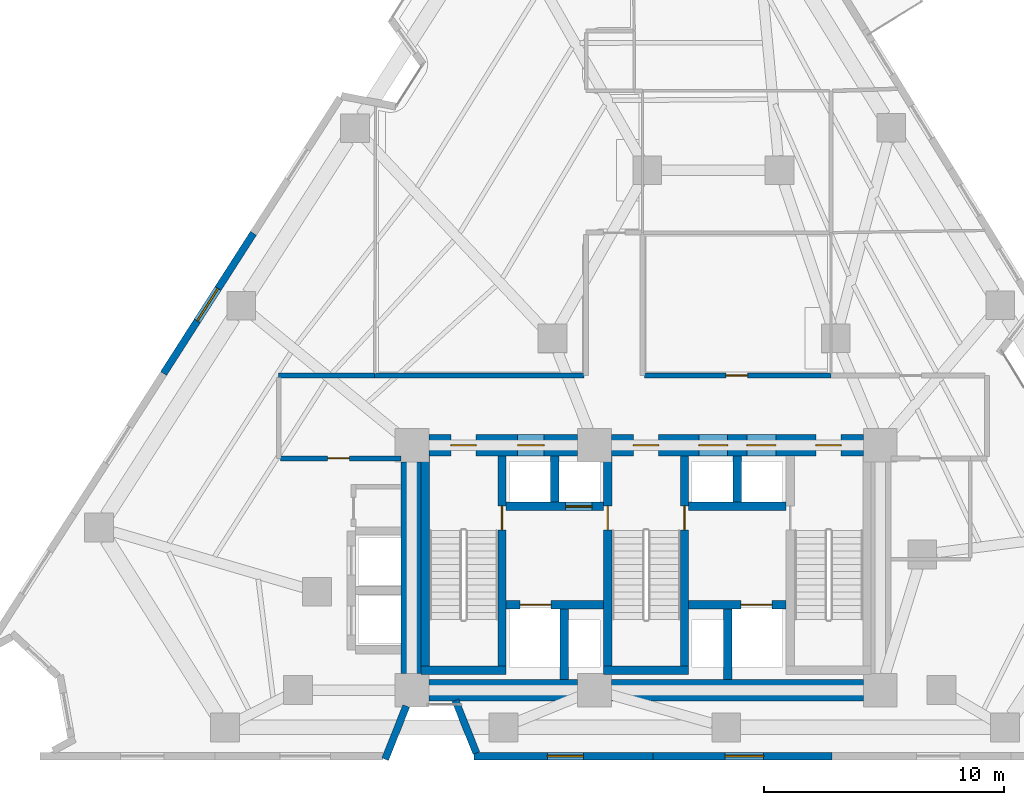
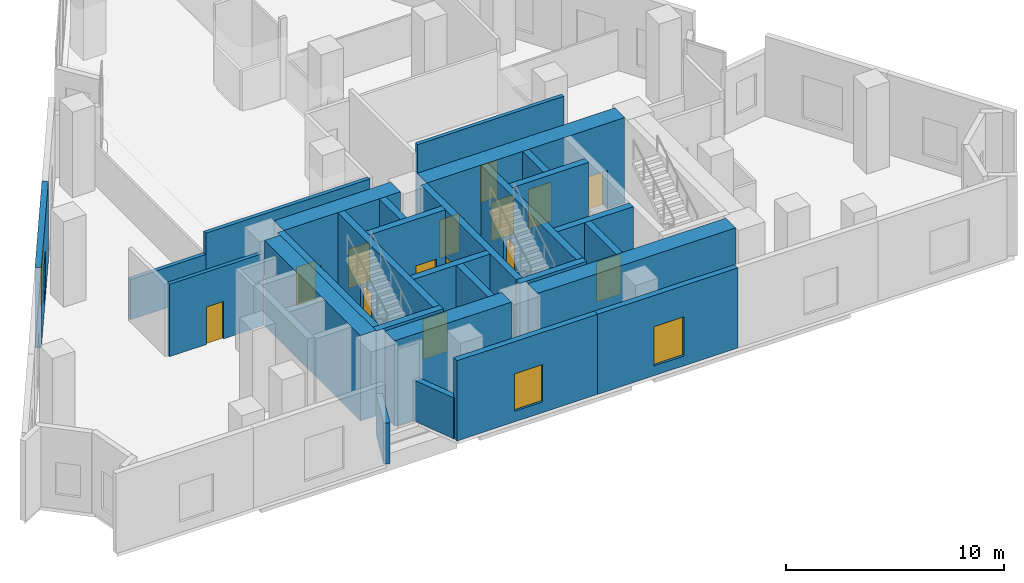
# One storey, part 7 of 13: 28 walls, 14 doors, 3 windows, 17 openings.
"""IFC4 building model written with IfcOpenShell, lengths in metres."""

import ifcopenshell
import ifcopenshell.guid

model = None  # the IFC model being written
_history = None  # IfcOwnerHistory: only IFC2X3 demands one
_inside = {}  # id of a spatial element -> (the spatial element, [elements in it])
_under = {}  # id of a project, library or spatial element -> (it, [spatial elements below it])
_declared = {}  # id of a project -> (the project, [libraries it declares])
_typed = {}  # id of a type object -> (the type object, [elements of that type])
_made_of = {}  # id of a material, layer set ... -> (it, [elements and type objects made of it])


def new_model(schema):
    """Start an empty IFC model of exactly this schema.

    Asked for "IFC4X3", IfcOpenShell would pick the latest addendum, in which some entities
    have other attributes; the version numbers below select the first issue.
    IFC2X3 requires an IfcOwnerHistory on every rooted entity: one is made here for all.
    """
    global model, _history
    if schema == "IFC4X3":
        model = ifcopenshell.file(schema_version=(4, 3, 0, 0))
    else:
        model = ifcopenshell.file(schema=schema)
    _inside.clear()
    _under.clear()
    _declared.clear()
    _typed.clear()
    _made_of.clear()
    _history = None
    if model.schema == "IFC2X3":
        org = make("IfcOrganization", Name="unknown")
        user = make(
            "IfcPersonAndOrganization",
            ThePerson=make("IfcPerson", FamilyName="unknown"),
            TheOrganization=org,
        )
        app = make(
            "IfcApplication",
            ApplicationDeveloper=org,
            Version="unknown",
            ApplicationFullName="unknown",
            ApplicationIdentifier="unknown",
        )
        _history = make(
            "IfcOwnerHistory",
            OwningUser=user,
            OwningApplication=app,
            ChangeAction="ADDED",
            CreationDate=0,
        )
    return model


def make(cls, **values):
    """One entity of the class cls with the attributes given. An attribute that is None is left unset."""
    return model.create_entity(
        cls, **{name: value for name, value in values.items() if value is not None}
    )


def rooted(cls, **values):
    """An entity with a GlobalId (a new one), such as an element, a storey or a relation."""
    return make(cls, GlobalId=ifcopenshell.guid.new(), OwnerHistory=_history, **values)


def si_unit(unit_type, name, prefix=None):
    """IfcSIUnit, for example si_unit("LENGTHUNIT", "METRE", prefix="MILLI")."""
    return make("IfcSIUnit", UnitType=unit_type, Prefix=prefix, Name=name)


def assignment(units):
    """IfcUnitAssignment: the units of a project."""
    return None if units is None else make("IfcUnitAssignment", Units=units)


def point(xyz):
    """IfcCartesianPoint."""
    return None if xyz is None else make("IfcCartesianPoint", Coordinates=xyz)


def direction(xyz):
    """IfcDirection."""
    return None if xyz is None else make("IfcDirection", DirectionRatios=xyz)


def frame(location, z_axis=None, x_axis=None):
    """IfcAxis2Placement3D, a coordinate frame: its origin and axes. An axis left out is left unset."""
    return make(
        "IfcAxis2Placement3D",
        Location=point(location),
        Axis=direction(z_axis),
        RefDirection=direction(x_axis),
    )


def frame_2d(location, x_axis=None):
    """IfcAxis2Placement2D, a coordinate frame in the plane: its origin and x axis."""
    return make(
        "IfcAxis2Placement2D", Location=point(location), RefDirection=direction(x_axis)
    )


def origin():
    """The frame at (0, 0, 0) with its axes left unset."""
    return frame((0.0, 0.0, 0.0))


def place(relative_to, where):
    """IfcLocalPlacement: puts the frame where relative to a parent placement (None: the world)."""
    return make(
        "IfcLocalPlacement", PlacementRelTo=relative_to, RelativePlacement=where
    )


def context(
    kind, dimensions, precision=None, world=None, true_north=None, identifier=None
):
    """IfcGeometricRepresentationContext, for example the 3D "Model" context."""
    return make(
        "IfcGeometricRepresentationContext",
        ContextIdentifier=identifier,
        ContextType=kind,
        CoordinateSpaceDimension=dimensions,
        Precision=precision,
        WorldCoordinateSystem=world,
        TrueNorth=true_north,
    )


def subcontext(parent, identifier, kind, view, scale=None):
    """IfcGeometricRepresentationSubContext, for example "Body" below "Model"."""
    return make(
        "IfcGeometricRepresentationSubContext",
        ContextIdentifier=identifier,
        ContextType=kind,
        ParentContext=parent,
        TargetScale=scale,
        TargetView=view,
    )


def project(units=None, contexts=None):
    """IfcProject with its units and contexts."""
    return rooted(
        "IfcProject",
        Name="project",
        RepresentationContexts=contexts,
        UnitsInContext=assignment(units),
    )


def spatial(cls, under=None, at=None, **own):
    """A site, building, storey or space (cls), placed at a placement, below another one or the project."""
    s = rooted(cls, ObjectPlacement=at, **own)
    if under is not None:
        _under.setdefault(under.id(), (under, []))[1].append(s)
    return s


def profile(cls, at=None, kind="AREA", **sizes):
    """A parametric profile (cls). Its sizes go by their IFC names, for example OverallWidth=200.0."""
    return make(cls, ProfileType=kind, Position=at, **sizes)


def rectangle(**sizes):
    """IfcRectangleProfileDef."""
    return profile("IfcRectangleProfileDef", **sizes)


def extrude(swept, where, along, depth):
    """IfcExtrudedAreaSolid: the profile swept, set in the frame where, extruded along a direction by depth."""
    return make(
        "IfcExtrudedAreaSolid",
        SweptArea=swept,
        Position=where,
        ExtrudedDirection=direction(along),
        Depth=depth,
    )


def shape(context_of_items, identifier, shape_type, items):
    """IfcShapeRepresentation: the items that make up one representation, for example the "Body"."""
    return make(
        "IfcShapeRepresentation",
        ContextOfItems=context_of_items,
        RepresentationIdentifier=identifier,
        RepresentationType=shape_type,
        Items=items,
    )


def material(Name=None, Category=None):
    """IfcMaterial."""
    return make("IfcMaterial", Name=Name, Category=Category)


def layer(
    of_material, thickness, ventilated=None, Name=None, Category=None, Priority=None
):
    """IfcMaterialLayer: one layer of a wall or slab, of a material (None: an air gap)."""
    return make(
        "IfcMaterialLayer",
        Material=of_material,
        LayerThickness=thickness,
        IsVentilated=ventilated,
        Name=Name,
        Category=Category,
        Priority=Priority,
    )


def layer_set(layers, Name=None):
    """IfcMaterialLayerSet."""
    return make("IfcMaterialLayerSet", MaterialLayers=layers, LayerSetName=Name)


def made_of(thing, what):
    """Note that an element or type object is made of a material, layer set ...; save() writes the relation."""
    if what is not None:
        _made_of.setdefault(what.id(), (what, []))[1].append(thing)
    return thing


def type_object(cls, material=None, **own):
    """A type object (cls), such as IfcWallType, which elements share."""
    return made_of(rooted(cls, **own), material)


def element(
    cls,
    number,
    at=None,
    inside=None,
    cuts=None,
    type_object=None,
    material=None,
    context=None,
    identifier="Body",
    shape_type=None,
    held_by="IfcProductDefinitionShape",
    body=None,
    shapes=None,
    **own,
):
    """One element of the class cls, such as IfcWall. Its Tag is "e" and its number.

    at: its placement. inside: the storey or other place that contains it. cuts: it is an
    opening in that element (IfcRelVoidsElement). A single representation is given by context,
    identifier, shape_type and body (its items); several are given by shapes. held_by: the class
    of the entity that holds the representations. save() writes the other relations.
    """
    e = rooted(cls, Tag="e%d" % number, ObjectPlacement=at, **own)
    if body is not None:
        shapes = [shape(context, identifier, shape_type, body)]
    if shapes is not None:
        e.Representation = make(held_by, Representations=shapes)
    if inside is not None:
        _inside.setdefault(inside.id(), (inside, []))[1].append(e)
    if cuts is not None:
        rooted(
            "IfcRelVoidsElement", RelatingBuildingElement=cuts, RelatedOpeningElement=e
        )
    if type_object is not None:
        _typed.setdefault(type_object.id(), (type_object, []))[1].append(e)
    return made_of(e, material)


def fill(opening, filler):
    """IfcRelFillsElement: the door or window that sits in an opening."""
    return rooted(
        "IfcRelFillsElement",
        RelatingOpeningElement=opening,
        RelatedBuildingElement=filler,
    )


def aggregate(whole, parts):
    """IfcRelAggregates: a whole, such as a stair, and the parts it consists of."""
    return rooted("IfcRelAggregates", RelatingObject=whole, RelatedObjects=parts)


def save(model, path):
    """Write the relations noted so far, then the file.

    IfcRelAggregates (storeys below a building ...), IfcRelContainedInSpatialStructure (elements
    in a storey), IfcRelDefinesByType, IfcRelAssociatesMaterial and IfcRelDeclares: one each for
    every whole, place, type object, material and project.
    """
    for whole, parts in _under.values():
        aggregate(whole, parts)
    for where, things in _inside.values():
        rooted(
            "IfcRelContainedInSpatialStructure",
            RelatedElements=things,
            RelatingStructure=where,
        )
    for kind, things in _typed.values():
        rooted("IfcRelDefinesByType", RelatedObjects=things, RelatingType=kind)
    for what, things in _made_of.values():
        rooted("IfcRelAssociatesMaterial", RelatedObjects=things, RelatingMaterial=what)
    for by, libraries in _declared.values():
        rooted("IfcRelDeclares", RelatingContext=by, RelatedDefinitions=libraries)
    model.write(path)


model = new_model("IFC4")

# Units and contexts
model_context = context("Model", 3, precision=1e-05, world=origin(), true_north=direction((0.0, 1.0)))
body_context = subcontext(model_context, "Body", "Model", "MODEL_VIEW")
ifc_project = project(units=[si_unit("LENGTHUNIT", "METRE"), si_unit("AREAUNIT", "SQUARE_METRE"), si_unit("VOLUMEUNIT", "CUBIC_METRE"), si_unit("PLANEANGLEUNIT", "RADIAN"), si_unit("MASSUNIT", "GRAM", prefix="KILO")], contexts=[model_context])

# Site, building, storey
site_placement = place(None, origin())
site = spatial("IfcSite", under=ifc_project, at=site_placement, CompositionType="ELEMENT")
building_placement = place(site_placement, origin())
building = spatial("IfcBuilding", under=site, at=building_placement, Name="Almagre Mirador Tower", CompositionType="ELEMENT")
storey_placement = place(building_placement, frame((0.0, 0.0, 100.199951171875)))
storey = spatial("IfcBuildingStorey", under=building, at=storey_placement, Name="L25", CompositionType="ELEMENT", Elevation=100.199951171875)

# Wall, opening, window
ifc_material_1 = material(Name="Precast concrete C50/60", Category="concrete")
ifc_layer_1 = layer(ifc_material_1, 0.300048828125)
ifc_layer_set_1 = layer_set([ifc_layer_1], Name="Precast concrete C50/60")
wall_type_1 = type_object("IfcWallType", Name="WAL-EXT-300", PredefinedType="SOLIDWALL", material=ifc_layer_set_1)
wall_1_placement = place(storey_placement, frame((45.0419921875, 1.800048828125, 0.0), z_axis=(0.0, 0.0, 1.0), x_axis=(-1.0, 0.0, 0.0)))
wall_1 = element("IfcWall", 1, at=wall_1_placement, inside=storey, type_object=wall_type_1, Name="L25 expressed almagre precast frame wall 20", PredefinedType="SOLIDWALL", context=body_context, shape_type="SweptSolid", body=[
    extrude(rectangle(XDim=7.448974609375, YDim=0.300048828125, at=frame_2d((3.724609375, 0.0))), origin(), (0.0, 0.0, 1.0), 4.5),
])
opening_1_placement = place(wall_1_placement, frame((2.85009765625, 0.0, 0.550048828125)))
opening_1 = element("IfcOpeningElement", 2, at=opening_1_placement, cuts=wall_1, Name="Opening WN-06", PredefinedType="OPENING", context=body_context, shape_type="SweptSolid", body=[
    extrude(rectangle(XDim=1.60009765625, YDim=2.199951171875, at=frame_2d((0.800048828125, 1.10009765625))), frame((0.0, 0.159902, 0.0), z_axis=(0.0, -1.0, 0.0), x_axis=(1.0, 0.0, 0.0)), (0.0, 0.0, 1.0), 0.320049),
])
ifc_material_2 = material(Name="Dark solar-control laminated hurricane glass", Category="glass")
window_type_1 = type_object("IfcWindowType", Name="WIN-1600X2200", PartitioningType="DOUBLE_PANEL_VERTICAL", PredefinedType="WINDOW", material=ifc_material_2)
window_1_placement = place(opening_1_placement, origin())
window_1 = element("IfcWindow", 3, at=window_1_placement, inside=storey, type_object=window_type_1, Name="L25 recessed hurricane window L25-SCAF", OverallHeight=2.199951171875, OverallWidth=1.60009765625, PartitioningType="SINGLE_PANEL", PredefinedType="WINDOW", context=body_context, shape_type="SweptSolid", body=[
    extrude(rectangle(XDim=1.60009765625, YDim=2.199951171875, at=frame_2d((0.800048828125, 1.10009765625))), frame((0.0, 0.030029296875, 0.0), z_axis=(0.0, -1.0, 0.0), x_axis=(1.0, 0.0, 0.0)), (0.0, 0.0, 1.0), 0.06005859375),
])
fill(opening_1, window_1)

wall_2_placement = place(storey_placement, frame((37.593017578125, 1.800048828125, 0.0), z_axis=(0.0, 0.0, 1.0), x_axis=(-1.0, 0.0, 0.0)))
wall_2 = element("IfcWall", 4, at=wall_2_placement, inside=storey, type_object=wall_type_1, Name="L25 expressed almagre precast frame wall 21", PredefinedType="SOLIDWALL", context=body_context, shape_type="SweptSolid", body=[
    extrude(rectangle(XDim=7.448974609375, YDim=0.300048828125, at=frame_2d((3.724609375, 0.0))), origin(), (0.0, 0.0, 1.0), 4.5),
])
opening_2_placement = place(wall_2_placement, frame((2.89990234375, 0.0, 0.60009765625)))
opening_2 = element("IfcOpeningElement", 5, at=opening_2_placement, cuts=wall_2, Name="Opening WN-03", PredefinedType="OPENING", context=body_context, shape_type="SweptSolid", body=[
    extrude(rectangle(XDim=1.5, YDim=2.10009765625, at=frame_2d((0.75, 1.050048828125))), frame((0.0, 0.159902, 0.0), z_axis=(0.0, -1.0, 0.0), x_axis=(1.0, 0.0, 0.0)), (0.0, 0.0, 1.0), 0.320049),
])
ifc_material_3 = material(Name="Dark solar-control laminated hurricane glass", Category="glass")
window_type_2 = type_object("IfcWindowType", Name="WIN-1500X2100", PartitioningType="DOUBLE_PANEL_VERTICAL", PredefinedType="WINDOW", material=ifc_material_3)
window_2_placement = place(opening_2_placement, origin())
window_2 = element("IfcWindow", 6, at=window_2_placement, inside=storey, type_object=window_type_2, Name="L25 recessed hurricane window L25-SCAF", OverallHeight=2.10009765625, OverallWidth=1.5, PartitioningType="SINGLE_PANEL", PredefinedType="WINDOW", context=body_context, shape_type="SweptSolid", body=[
    extrude(rectangle(XDim=1.5, YDim=2.10009765625, at=frame_2d((0.75, 1.050048828125))), frame((0.0, 0.030029296875, 0.0), z_axis=(0.0, -1.0, 0.0), x_axis=(1.0, 0.0, 0.0)), (0.0, 0.0, 1.0), 0.06005859375),
])
fill(opening_2, window_2)

# Walls
wall_3_placement = place(storey_placement, frame((30.232177734375, 1.93017578125, 0.0), z_axis=(0.0, 0.0, 1.0), x_axis=(-0.369464950335, 0.929244666637, 0.0)))
element("IfcWall", 7, at=wall_3_placement, inside=storey, type_object=wall_type_1, Name="L25 expressed almagre precast frame wall 22", PredefinedType="SOLIDWALL", context=body_context, shape_type="SweptSolid", body=[
    extrude(rectangle(XDim=2.361572265625, YDim=0.300048828125, at=frame_2d((1.1806640625, 0.0))), origin(), (0.0, 0.0, 1.0), 2.300048828125),
])
wall_4_placement = place(storey_placement, frame((27.314208984375, 3.887939453125, 0.0), z_axis=(0.0, 0.0, 1.0), x_axis=(-0.369449995806, -0.929250612375, 0.0)))
element("IfcWall", 8, at=wall_4_placement, inside=storey, type_object=wall_type_1, Name="L25 expressed almagre precast frame wall 23", PredefinedType="SOLIDWALL", context=body_context, shape_type="SweptSolid", body=[
    extrude(rectangle(XDim=2.386962890625, YDim=0.300048828125, at=frame_2d((1.193359375, 0.0))), origin(), (0.0, 0.0, 1.0), 2.300048828125),
])

# Wall, opening, window
wall_5_placement = place(storey_placement, frame((17.208984375, 17.734619140625, 0.0), z_axis=(0.0, 0.0, 1.0), x_axis=(0.539459372932, 0.842011629941, 0.0)))
wall_5 = element("IfcWall", 9, at=wall_5_placement, inside=storey, type_object=wall_type_1, Name="L25 expressed almagre precast frame wall 32", PredefinedType="SOLIDWALL", context=body_context, shape_type="SweptSolid", body=[
    extrude(rectangle(XDim=6.932373046875, YDim=0.300048828125, at=frame_2d((3.46630859375, 0.0))), origin(), (0.0, 0.0, 1.0), 4.5),
])
opening_3_placement = place(wall_5_placement, frame((2.60009765625, 0.0, 0.550048828125)))
opening_3 = element("IfcOpeningElement", 10, at=opening_3_placement, cuts=wall_5, Name="Opening WN-06", PredefinedType="OPENING", context=body_context, shape_type="SweptSolid", body=[
    extrude(rectangle(XDim=1.60009765625, YDim=2.199951171875, at=frame_2d((0.800048828125, 1.10009765625))), frame((0.0, 0.159902, 0.0), z_axis=(0.0, -1.0, 0.0), x_axis=(1.0, 0.0, 0.0)), (0.0, 0.0, 1.0), 0.320049),
])
window_3_placement = place(opening_3_placement, origin())
window_3 = element("IfcWindow", 11, at=window_3_placement, inside=storey, type_object=window_type_1, Name="L25 recessed hurricane window L25-SMTG", OverallHeight=2.199951171875, OverallWidth=1.60009765625, PartitioningType="SINGLE_PANEL", PredefinedType="WINDOW", context=body_context, shape_type="SweptSolid", body=[
    extrude(rectangle(XDim=1.60009765625, YDim=2.199951171875, at=frame_2d((0.800048828125, 1.10009765625))), frame((0.0, 0.030029296875, 0.0), z_axis=(0.0, -1.0, 0.0), x_axis=(1.0, 0.0, 0.0)), (0.0, 0.0, 1.0), 0.06005859375),
])
fill(opening_3, window_3)

# Wall, opening, door
ifc_material_4 = material(Name="Gypsum acoustic stud partition", Category="other")
ifc_layer_2 = layer(ifc_material_4, 0.199951171875)
ifc_layer_set_2 = layer_set([ifc_layer_2], Name="Gypsum acoustic stud partition")
wall_type_2 = type_object("IfcWallType", Name="WAL-PRT-200-EI60", PredefinedType="PARTITIONING", material=ifc_layer_set_2)
wall_6_placement = place(storey_placement, frame((37.235107421875, 17.64990234375, 0.0), z_axis=(0.0, 0.0, 1.0), x_axis=(1.0, 0.0, 0.0)))
wall_6 = element("IfcWall", 12, at=wall_6_placement, inside=storey, type_object=wall_type_2, Name="L25 interior partition 019", PredefinedType="PARTITIONING", context=body_context, shape_type="SweptSolid", body=[
    extrude(rectangle(XDim=7.764892578125, YDim=0.199951171875, at=frame_2d((3.88232421875, 0.0))), origin(), (0.0, 0.0, 1.0), 4.5),
])
opening_4_placement = place(wall_6_placement, frame((3.389892578125, 0.0, 0.0)))
opening_4 = element("IfcOpeningElement", 13, at=opening_4_placement, cuts=wall_6, Name="Opening ID-03", PredefinedType="OPENING", context=body_context, shape_type="SweptSolid", body=[
    extrude(rectangle(XDim=0.89990234375, YDim=2.10009765625, at=frame_2d((0.449951171875, 1.050048828125))), frame((0.0, 0.110098, 0.0), z_axis=(0.0, -1.0, 0.0), x_axis=(1.0, 0.0, 0.0)), (0.0, 0.0, 1.0), 0.219951),
])
ifc_material_5 = material(Name="Fire-rated hollow steel", Category="steel")
door_type_1 = type_object("IfcDoorType", Name="DOR-FD60-900X2100", OperationType="NOTDEFINED", PredefinedType="DOOR", material=ifc_material_5)
door_1_placement = place(opening_4_placement, origin())
door_1 = element("IfcDoor", 14, at=door_1_placement, inside=storey, type_object=door_type_1, Name="DR-0852 L25 interior door L25-SCAF-2 to L25-SCOR", OperationType="SINGLE_SWING_RIGHT", OverallHeight=2.10009765625, OverallWidth=0.89990234375, PredefinedType="DOOR", context=body_context, shape_type="SweptSolid", body=[
    extrude(rectangle(XDim=0.89990234375, YDim=2.10009765625, at=frame_2d((0.449951171875, 1.050048828125))), frame((0.0, 0.02490234375, 0.0), z_axis=(0.0, -1.0, 0.0), x_axis=(1.0, 0.0, 0.0)), (0.0, 0.0, 1.0), 0.050048828125),
])
fill(opening_4, door_1)

# Walls
wall_7_placement = place(storey_placement, frame((34.715087890625, 17.64990234375, 0.0), z_axis=(0.0, 0.0, 1.0), x_axis=(-1.0, 0.0, 0.0)))
element("IfcWall", 15, at=wall_7_placement, inside=storey, type_object=wall_type_2, Name="L25 interior partition 028", PredefinedType="PARTITIONING", context=body_context, shape_type="SweptSolid", body=[
    extrude(rectangle(XDim=8.715087890625, YDim=0.199951171875, at=frame_2d((4.357421875, 0.0))), origin(), (0.0, 0.0, 1.0), 3.458984375),
])
wall_8_placement = place(storey_placement, frame((26.0, 17.64990234375, 0.0), z_axis=(0.0, 0.0, 1.0), x_axis=(-1.0, 0.0, 0.0)))
element("IfcWall", 16, at=wall_8_placement, inside=storey, type_object=wall_type_2, Name="L25 interior partition 029", PredefinedType="PARTITIONING", context=body_context, shape_type="SweptSolid", body=[
    extrude(rectangle(XDim=4.0, YDim=0.199951171875, at=frame_2d((2.0, 0.0))), origin(), (0.0, 0.0, 1.0), 2.27001953125),
])

# Wall, opening, door
wall_9_placement = place(storey_placement, frame((22.0849609375, 14.199951171875, 0.0), z_axis=(0.0, 0.0, 1.0), x_axis=(1.0, 0.0, 0.0)))
wall_9 = element("IfcWall", 17, at=wall_9_placement, inside=storey, type_object=wall_type_2, Name="L25 interior partition 031", PredefinedType="PARTITIONING", context=body_context, shape_type="SweptSolid", body=[
    extrude(rectangle(XDim=5.01513671875, YDim=0.199951171875, at=frame_2d((2.507568359375, 0.0))), origin(), (0.0, 0.0, 1.0), 4.06103515625),
])
opening_5_placement = place(wall_9_placement, frame((1.95556640625, 0.0, 0.0)))
opening_5 = element("IfcOpeningElement", 18, at=opening_5_placement, cuts=wall_9, Name="Opening ID-03", PredefinedType="OPENING", context=body_context, shape_type="SweptSolid", body=[
    extrude(rectangle(XDim=0.89990234375, YDim=2.10009765625, at=frame_2d((0.449951171875, 1.050048828125))), frame((0.0, 0.110098, 0.0), z_axis=(0.0, -1.0, 0.0), x_axis=(1.0, 0.0, 0.0)), (0.0, 0.0, 1.0), 0.219951),
])
door_2_placement = place(opening_5_placement, origin())
door_2 = element("IfcDoor", 19, at=door_2_placement, inside=storey, type_object=door_type_1, Name="DR-0853 L25 interior door L25-SCOR to L25-SMTG", OperationType="SINGLE_SWING_RIGHT", OverallHeight=2.10009765625, OverallWidth=0.89990234375, PredefinedType="DOOR", context=body_context, shape_type="SweptSolid", body=[
    extrude(rectangle(XDim=0.89990234375, YDim=2.10009765625, at=frame_2d((0.449951171875, 1.050048828125))), frame((0.0, 0.02490234375, 0.0), z_axis=(0.0, -1.0, 0.0), x_axis=(1.0, 0.0, 0.0)), (0.0, 0.0, 1.0), 0.050048828125),
])
fill(opening_5, door_2)

# Wall
ifc_material_6 = material(Name="Concrete C60/75", Category="concrete")
ifc_layer_3 = layer(ifc_material_6, 0.35009765625)
ifc_layer_set_3 = layer_set([ifc_layer_3], Name="Concrete C60/75")
wall_type_3 = type_object("IfcWallType", Name="WAL-SHF-350", PredefinedType="SOLIDWALL", material=ifc_layer_set_3)
wall_10_placement = place(storey_placement, frame((28.10009765625, 5.199951171875, 0.0), z_axis=(0.0, 0.0, 1.0), x_axis=(0.0, 1.0, 0.0)))
element("IfcWall", 20, at=wall_10_placement, inside=storey, type_object=wall_type_3, Name="L25 shaft wall ST1-W", PredefinedType="SOLIDWALL", context=body_context, shape_type="SweptSolid", body=[
    extrude(rectangle(XDim=9.10009765625, YDim=0.35009765625, at=frame_2d((4.550048828125, 0.0))), origin(), (0.0, 0.0, 1.0), 4.800048828125),
])

# Wall, opening, door
wall_11_placement = place(storey_placement, frame((31.300048828125, 5.199951171875, 0.0), z_axis=(0.0, 0.0, 1.0), x_axis=(0.0, 1.0, 0.0)))
wall_11 = element("IfcWall", 21, at=wall_11_placement, inside=storey, type_object=wall_type_3, Name="L25 shaft wall ST1-E", PredefinedType="SOLIDWALL", context=body_context, shape_type="SweptSolid", body=[
    extrude(rectangle(XDim=9.10009765625, YDim=0.35009765625, at=frame_2d((4.550048828125, 0.0))), origin(), (0.0, 0.0, 1.0), 4.800048828125),
])
opening_6_placement = place(wall_11_placement, frame((6.02001953125, 0.0, 0.0)))
opening_6 = element("IfcOpeningElement", 22, at=opening_6_placement, cuts=wall_11, Name="Opening FD-01", PredefinedType="OPENING", context=body_context, shape_type="SweptSolid", body=[
    extrude(rectangle(XDim=1.0, YDim=2.14990234375, at=frame_2d((0.5, 1.074951171875))), frame((0.0, 0.185049, 0.0), z_axis=(0.0, -1.0, 0.0), x_axis=(1.0, 0.0, 0.0)), (0.0, 0.0, 1.0), 0.370098),
])
ifc_material_7 = material(Name="Fire-rated hollow steel", Category="steel")
door_type_2 = type_object("IfcDoorType", Name="DOR-FFL-1000X2150", OperationType="NOTDEFINED", PredefinedType="DOOR", material=ifc_material_7)
door_3_placement = place(opening_6_placement, origin())
door_3 = element("IfcDoor", 23, at=door_3_placement, inside=storey, type_object=door_type_2, Name="DR-0847 L25 FFL1-ST1 smokeproof door", OperationType="SINGLE_SWING_RIGHT", OverallHeight=2.14990234375, OverallWidth=1.0, PredefinedType="DOOR", context=body_context, shape_type="SweptSolid", body=[
    extrude(rectangle(XDim=1.0, YDim=2.14990234375, at=frame_2d((0.5, 1.074951171875))), frame((0.0, 0.02490234375, 0.0), z_axis=(0.0, -1.0, 0.0), x_axis=(1.0, 0.0, 0.0)), (0.0, 0.0, 1.0), 0.050048828125),
])
fill(opening_6, door_3)

# Wall
wall_12_placement = place(storey_placement, frame((27.925048828125, 5.375, 0.0), z_axis=(0.0, 0.0, 1.0), x_axis=(1.0, 0.0, 0.0)))
element("IfcWall", 24, at=wall_12_placement, inside=storey, type_object=wall_type_3, Name="L25 shaft wall ST1-S", PredefinedType="SOLIDWALL", context=body_context, shape_type="SweptSolid", body=[
    extrude(rectangle(XDim=3.550048828125, YDim=0.35009765625, at=frame_2d((1.77490234375, 0.0))), origin(), (0.0, 0.0, 1.0), 4.800048828125),
])

# Wall, opening, door
wall_13_placement = place(storey_placement, frame((35.699951171875, 5.199951171875, 0.0), z_axis=(0.0, 0.0, 1.0), x_axis=(0.0, 1.0, 0.0)))
wall_13 = element("IfcWall", 25, at=wall_13_placement, inside=storey, type_object=wall_type_3, Name="L25 shaft wall ST2-W", PredefinedType="SOLIDWALL", context=body_context, shape_type="SweptSolid", body=[
    extrude(rectangle(XDim=9.10009765625, YDim=0.35009765625, at=frame_2d((4.550048828125, 0.0))), origin(), (0.0, 0.0, 1.0), 4.800048828125),
])
opening_7_placement = place(wall_13_placement, frame((6.02001953125, 0.0, 0.0)))
opening_7 = element("IfcOpeningElement", 26, at=opening_7_placement, cuts=wall_13, Name="Opening FD-01", PredefinedType="OPENING", context=body_context, shape_type="SweptSolid", body=[
    extrude(rectangle(XDim=1.0, YDim=2.14990234375, at=frame_2d((0.5, 1.074951171875))), frame((0.0, 0.185049, 0.0), z_axis=(0.0, -1.0, 0.0), x_axis=(1.0, 0.0, 0.0)), (0.0, 0.0, 1.0), 0.370098),
])
door_4_placement = place(opening_7_placement, origin())
door_4 = element("IfcDoor", 27, at=door_4_placement, inside=storey, type_object=door_type_2, Name="DR-0848 L25 FFL1-ST2 smokeproof door", OperationType="SINGLE_SWING_LEFT", OverallHeight=2.14990234375, OverallWidth=1.0, PredefinedType="DOOR", context=body_context, shape_type="SweptSolid", body=[
    extrude(rectangle(XDim=1.0, YDim=2.14990234375, at=frame_2d((0.5, 1.074951171875))), frame((0.0, 0.02490234375, 0.0), z_axis=(0.0, -1.0, 0.0), x_axis=(1.0, 0.0, 0.0)), (0.0, 0.0, 1.0), 0.050048828125),
])
fill(opening_7, door_4)

wall_14_placement = place(storey_placement, frame((38.89990234375, 5.199951171875, 0.0), z_axis=(0.0, 0.0, 1.0), x_axis=(0.0, 1.0, 0.0)))
wall_14 = element("IfcWall", 28, at=wall_14_placement, inside=storey, type_object=wall_type_3, Name="L25 shaft wall ST2-E", PredefinedType="SOLIDWALL", context=body_context, shape_type="SweptSolid", body=[
    extrude(rectangle(XDim=9.10009765625, YDim=0.35009765625, at=frame_2d((4.550048828125, 0.0))), origin(), (0.0, 0.0, 1.0), 4.800048828125),
])
opening_8_placement = place(wall_14_placement, frame((6.02001953125, 0.0, 0.0)))
opening_8 = element("IfcOpeningElement", 29, at=opening_8_placement, cuts=wall_14, Name="Opening FD-01", PredefinedType="OPENING", context=body_context, shape_type="SweptSolid", body=[
    extrude(rectangle(XDim=1.0, YDim=2.14990234375, at=frame_2d((0.5, 1.074951171875))), frame((0.0, 0.185049, 0.0), z_axis=(0.0, -1.0, 0.0), x_axis=(1.0, 0.0, 0.0)), (0.0, 0.0, 1.0), 0.370098),
])
door_5_placement = place(opening_8_placement, origin())
door_5 = element("IfcDoor", 30, at=door_5_placement, inside=storey, type_object=door_type_2, Name="DR-0849 L25 FFL2-ST2 smokeproof door", OperationType="SINGLE_SWING_RIGHT", OverallHeight=2.14990234375, OverallWidth=1.0, PredefinedType="DOOR", context=body_context, shape_type="SweptSolid", body=[
    extrude(rectangle(XDim=1.0, YDim=2.14990234375, at=frame_2d((0.5, 1.074951171875))), frame((0.0, 0.02490234375, 0.0), z_axis=(0.0, -1.0, 0.0), x_axis=(1.0, 0.0, 0.0)), (0.0, 0.0, 1.0), 0.050048828125),
])
fill(opening_8, door_5)

# Wall
wall_15_placement = place(storey_placement, frame((35.52490234375, 5.375, 0.0), z_axis=(0.0, 0.0, 1.0), x_axis=(1.0, 0.0, 0.0)))
element("IfcWall", 31, at=wall_15_placement, inside=storey, type_object=wall_type_3, Name="L25 shaft wall ST2-S", PredefinedType="SOLIDWALL", context=body_context, shape_type="SweptSolid", body=[
    extrude(rectangle(XDim=3.550048828125, YDim=0.35009765625, at=frame_2d((1.77490234375, 0.0))), origin(), (0.0, 0.0, 1.0), 4.800048828125),
])

# Wall, opening, door
wall_16_placement = place(storey_placement, frame((31.47509765625, 8.10009765625, 0.0), z_axis=(0.0, 0.0, 1.0), x_axis=(1.0, 0.0, 0.0)))
wall_16 = element("IfcWall", 32, at=wall_16_placement, inside=storey, type_object=wall_type_3, Name="L25 shaft wall FSAE1-N", PredefinedType="SOLIDWALL", context=body_context, shape_type="SweptSolid", body=[
    extrude(rectangle(XDim=4.0498046875, YDim=0.35009765625, at=frame_2d((2.02490234375, 0.0))), origin(), (0.0, 0.0, 1.0), 4.800048828125),
])
opening_9_placement = place(wall_16_placement, frame((0.574951171875, 0.0, 0.0)))
opening_9 = element("IfcOpeningElement", 33, at=opening_9_placement, cuts=wall_16, Name="Opening LD-03", PredefinedType="OPENING", context=body_context, shape_type="SweptSolid", body=[
    extrude(rectangle(XDim=1.300048828125, YDim=2.25, at=frame_2d((0.64990234375, 1.125))), frame((0.0, 0.185049, 0.0), z_axis=(0.0, -1.0, 0.0), x_axis=(1.0, 0.0, 0.0)), (0.0, 0.0, 1.0), 0.370098),
])
ifc_material_8 = material(Name="Hollow stainless steel", Category="steel")
door_type_3 = type_object("IfcDoorType", Name="DOR-LD-1300X2250", OperationType="DOUBLE_DOOR_SLIDING", PredefinedType="DOOR", material=ifc_material_8)
door_6_placement = place(opening_9_placement, origin())
door_6 = element("IfcDoor", 34, at=door_6_placement, inside=storey, type_object=door_type_3, Name="DR-0856 L25 FSAE-1 lift landing door", OperationType="DOUBLE_DOOR_SLIDING", OverallHeight=2.25, OverallWidth=1.300048828125, PredefinedType="DOOR", context=body_context, shape_type="SweptSolid", body=[
    extrude(rectangle(XDim=1.300048828125, YDim=2.25, at=frame_2d((0.64990234375, 1.125))), frame((0.0, 0.02490234375, 0.0), z_axis=(0.0, -1.0, 0.0), x_axis=(1.0, 0.0, 0.0)), (0.0, 0.0, 1.0), 0.050048828125),
])
fill(opening_9, door_6)

wall_17_placement = place(storey_placement, frame((39.074951171875, 8.10009765625, 0.0), z_axis=(0.0, 0.0, 1.0), x_axis=(1.0, 0.0, 0.0)))
wall_17 = element("IfcWall", 35, at=wall_17_placement, inside=storey, type_object=wall_type_3, Name="L25 shaft wall FSAE2-N", PredefinedType="SOLIDWALL", context=body_context, shape_type="SweptSolid", body=[
    extrude(rectangle(XDim=4.050048828125, YDim=0.35009765625, at=frame_2d((2.02490234375, 0.0))), origin(), (0.0, 0.0, 1.0), 4.800048828125),
])
opening_10_placement = place(wall_17_placement, frame((2.175048828125, 0.0, 0.0)))
opening_10 = element("IfcOpeningElement", 36, at=opening_10_placement, cuts=wall_17, Name="Opening LD-03", PredefinedType="OPENING", context=body_context, shape_type="SweptSolid", body=[
    extrude(rectangle(XDim=1.300048828125, YDim=2.25, at=frame_2d((0.64990234375, 1.125))), frame((0.0, 0.185049, 0.0), z_axis=(0.0, -1.0, 0.0), x_axis=(1.0, 0.0, 0.0)), (0.0, 0.0, 1.0), 0.370098),
])
door_7_placement = place(opening_10_placement, origin())
door_7 = element("IfcDoor", 37, at=door_7_placement, inside=storey, type_object=door_type_3, Name="DR-0857 L25 FSAE-2 lift landing door", OperationType="DOUBLE_DOOR_SLIDING", OverallHeight=2.25, OverallWidth=1.300048828125, PredefinedType="DOOR", context=body_context, shape_type="SweptSolid", body=[
    extrude(rectangle(XDim=1.300048828125, YDim=2.25, at=frame_2d((0.64990234375, 1.125))), frame((0.0, 0.02490234375, 0.0), z_axis=(0.0, -1.0, 0.0), x_axis=(1.0, 0.0, 0.0)), (0.0, 0.0, 1.0), 0.050048828125),
])
fill(opening_10, door_7)

# Walls
for number, where, z_axis, x_axis, name in (
    (38, (33.89990234375, 5.0, 0.0), (0.0, 0.0, 1.0), (0.0, 1.0, 0.0), "L25 shaft wall FSAE1-E"),
    (39, (40.699951171875, 5.0, 0.0), (0.0, 0.0, 1.0), (0.0, 1.0, 0.0), "L25 shaft wall FSAE2-W"),
):
    element("IfcWall", number, at=place(storey_placement, frame(where, z_axis=z_axis, x_axis=x_axis)), inside=storey, type_object=wall_type_3, Name=name, PredefinedType="SOLIDWALL", context=body_context, shape_type="SweptSolid", body=[
        extrude(rectangle(XDim=2.925048828125, YDim=0.35009765625, at=frame_2d((1.46240234375, 0.0))), origin(), (0.0, 0.0, 1.0), 4.800048828125),
    ])

# Wall, opening, door
wall_18_placement = place(storey_placement, frame((31.47509765625, 12.199951171875, 0.0), z_axis=(0.0, 0.0, 1.0), x_axis=(1.0, 0.0, 0.0)))
wall_18 = element("IfcWall", 40, at=wall_18_placement, inside=storey, type_object=wall_type_3, Name="L25 shaft wall PLM-S", PredefinedType="SOLIDWALL", context=body_context, shape_type="SweptSolid", body=[
    extrude(rectangle(XDim=4.0498046875, YDim=0.35009765625, at=frame_2d((2.02490234375, 0.0))), origin(), (0.0, 0.0, 1.0), 4.800048828125),
])
opening_11_placement = place(wall_18_placement, frame((2.47509765625, 0.0, 0.0)))
opening_11 = element("IfcOpeningElement", 41, at=opening_11_placement, cuts=wall_18, Name="Opening LD-01", PredefinedType="OPENING", context=body_context, shape_type="SweptSolid", body=[
    extrude(rectangle(XDim=1.10009765625, YDim=2.199951171875, at=frame_2d((0.550048828125, 1.10009765625))), frame((0.0, 0.185049, 0.0), z_axis=(0.0, -1.0, 0.0), x_axis=(1.0, 0.0, 0.0)), (0.0, 0.0, 1.0), 0.370098),
])
ifc_material_9 = material(Name="Hollow stainless steel", Category="steel")
door_type_4 = type_object("IfcDoorType", Name="DOR-LD-1100X2200", OperationType="DOUBLE_DOOR_SLIDING", PredefinedType="DOOR", material=ifc_material_9)
door_8_placement = place(opening_11_placement, origin())
door_8 = element("IfcDoor", 42, at=door_8_placement, inside=storey, type_object=door_type_4, Name="DR-0863 L25 PL-M2 lift landing door", OperationType="DOUBLE_DOOR_SLIDING", OverallHeight=2.199951171875, OverallWidth=1.10009765625, PredefinedType="DOOR", context=body_context, shape_type="SweptSolid", body=[
    extrude(rectangle(XDim=1.10009765625, YDim=2.199951171875, at=frame_2d((0.550048828125, 1.10009765625))), frame((0.0, 0.02490234375, 0.0), z_axis=(0.0, -1.0, 0.0), x_axis=(1.0, 0.0, 0.0)), (0.0, 0.0, 1.0), 0.050048828125),
])
fill(opening_11, door_8)

# Walls
wall_19_placement = place(storey_placement, frame((33.5, 12.375, 0.0), z_axis=(0.0, 0.0, 1.0), x_axis=(0.0, 1.0, 0.0)))
element("IfcWall", 43, at=wall_19_placement, inside=storey, type_object=wall_type_3, Name="L25 shaft wall PLM-M", PredefinedType="SOLIDWALL", context=body_context, shape_type="SweptSolid", body=[
    extrude(rectangle(XDim=1.925048828125, YDim=0.35009765625, at=frame_2d((0.96240234375, 0.0))), origin(), (0.0, 0.0, 1.0), 4.800048828125),
])
wall_20_placement = place(storey_placement, frame((39.074951171875, 12.199951171875, 0.0), z_axis=(0.0, 0.0, 1.0), x_axis=(1.0, 0.0, 0.0)))
element("IfcWall", 44, at=wall_20_placement, inside=storey, type_object=wall_type_3, Name="L25 shaft wall PLH-S", PredefinedType="SOLIDWALL", context=body_context, shape_type="SweptSolid", body=[
    extrude(rectangle(XDim=4.050048828125, YDim=0.35009765625, at=frame_2d((2.02490234375, 0.0))), origin(), (0.0, 0.0, 1.0), 4.800048828125),
])
wall_21_placement = place(storey_placement, frame((41.10009765625, 12.375, 0.0), z_axis=(0.0, 0.0, 1.0), x_axis=(0.0, 1.0, 0.0)))
element("IfcWall", 45, at=wall_21_placement, inside=storey, type_object=wall_type_3, Name="L25 shaft wall PLH-M", PredefinedType="SOLIDWALL", context=body_context, shape_type="SweptSolid", body=[
    extrude(rectangle(XDim=1.925048828125, YDim=0.35009765625, at=frame_2d((0.96240234375, 0.0))), origin(), (0.0, 0.0, 1.0), 4.800048828125),
])
ifc_material_10 = material(Name="Concrete C70/85", Category="concrete")
ifc_layer_4 = layer(ifc_material_10, 0.89990234375)
ifc_layer_set_4 = layer_set([ifc_layer_4], Name="Concrete C70/85")
wall_type_4 = type_object("IfcWallType", Name="WAL-SHR-900", PredefinedType="SHEAR", material=ifc_layer_set_4)
wall_22_placement = place(storey_placement, frame((28.25, 4.550048828125, 0.0), z_axis=(0.0, 0.0, 1.0), x_axis=(1.0, 0.0, 0.0)))
element("IfcWall", 46, at=wall_22_placement, inside=storey, type_object=wall_type_4, Name="L25 core shear wall S1", PredefinedType="SHEAR", context=body_context, shape_type="SweptSolid", body=[
    extrude(rectangle(XDim=6.199951171875, YDim=0.89990234375, at=frame_2d((3.10009765625, 0.0))), origin(), (0.0, 0.0, 1.0), 4.800048828125),
])
wall_23_placement = place(storey_placement, frame((35.85009765625, 4.550048828125, 0.0), z_axis=(0.0, 0.0, 1.0), x_axis=(1.0, 0.0, 0.0)))
element("IfcWall", 47, at=wall_23_placement, inside=storey, type_object=wall_type_4, Name="L25 core shear wall S2", PredefinedType="SHEAR", context=body_context, shape_type="SweptSolid", body=[
    extrude(rectangle(XDim=10.5, YDim=0.89990234375, at=frame_2d((5.25, 0.0))), origin(), (0.0, 0.0, 1.0), 4.800048828125),
])

# Wall, openings, doors
wall_24_placement = place(storey_placement, frame((28.25, 14.75, 0.0), z_axis=(0.0, 0.0, 1.0), x_axis=(1.0, 0.0, 0.0)))
wall_24 = element("IfcWall", 48, at=wall_24_placement, inside=storey, type_object=wall_type_4, Name="L25 core shear wall N1", PredefinedType="SHEAR", context=body_context, shape_type="SweptSolid", body=[
    extrude(rectangle(XDim=6.199951171875, YDim=0.89990234375, at=frame_2d((3.10009765625, 0.0))), origin(), (0.0, 0.0, 1.0), 4.800048828125),
])
opening_12_placement = place(wall_24_placement, frame((0.925048828125, 0.0, 0.0)))
opening_12 = element("IfcOpeningElement", 49, at=opening_12_placement, cuts=wall_24, Name="Opening SD-01", PredefinedType="OPENING", context=body_context, shape_type="SweptSolid", body=[
    extrude(rectangle(XDim=1.050048828125, YDim=2.14990234375, at=frame_2d((0.52490234375, 1.074951171875))), frame((0.0, 0.459951, 0.0), z_axis=(0.0, -1.0, 0.0), x_axis=(1.0, 0.0, 0.0)), (0.0, 0.0, 1.0), 0.919902),
])
opening_13_placement = place(wall_24_placement, frame((3.699951171875, 0.0, 0.0)))
opening_13 = element("IfcOpeningElement", 50, at=opening_13_placement, cuts=wall_24, Name="Opening LD-01", PredefinedType="OPENING", context=body_context, shape_type="SweptSolid", body=[
    extrude(rectangle(XDim=1.10009765625, YDim=2.199951171875, at=frame_2d((0.550048828125, 1.10009765625))), frame((0.0, 0.459951, 0.0), z_axis=(0.0, -1.0, 0.0), x_axis=(1.0, 0.0, 0.0)), (0.0, 0.0, 1.0), 0.919902),
])
door_9_placement = place(opening_13_placement, origin())
door_9 = element("IfcDoor", 51, at=door_9_placement, inside=storey, type_object=door_type_4, Name="DR-0862 L25 PL-M1 lift landing door", OperationType="DOUBLE_DOOR_SLIDING", OverallHeight=2.199951171875, OverallWidth=1.10009765625, PredefinedType="DOOR", context=body_context, shape_type="SweptSolid", body=[
    extrude(rectangle(XDim=1.10009765625, YDim=2.199951171875, at=frame_2d((0.550048828125, 1.10009765625))), frame((0.0, 0.02490234375, 0.0), z_axis=(0.0, -1.0, 0.0), x_axis=(1.0, 0.0, 0.0)), (0.0, 0.0, 1.0), 0.050048828125),
])
fill(opening_13, door_9)
ifc_material_11 = material(Name="Fire-rated hollow steel", Category="steel")
door_type_5 = type_object("IfcDoorType", Name="DOR-ST-1050X2150", OperationType="NOTDEFINED", PredefinedType="DOOR", material=ifc_material_11)
door_10_placement = place(opening_12_placement, origin())
door_10 = element("IfcDoor", 52, at=door_10_placement, inside=storey, type_object=door_type_5, Name="DR-0864 L25 protected exit stair ST-1 door", OperationType="SINGLE_SWING_RIGHT", OverallHeight=2.14990234375, OverallWidth=1.050048828125, PredefinedType="DOOR", context=body_context, shape_type="SweptSolid", body=[
    extrude(rectangle(XDim=1.050048828125, YDim=2.14990234375, at=frame_2d((0.52490234375, 1.074951171875))), frame((0.0, 0.02490234375, 0.0), z_axis=(0.0, -1.0, 0.0), x_axis=(1.0, 0.0, 0.0)), (0.0, 0.0, 1.0), 0.050048828125),
])
fill(opening_12, door_10)

wall_25_placement = place(storey_placement, frame((35.85009765625, 14.75, 0.0), z_axis=(0.0, 0.0, 1.0), x_axis=(1.0, 0.0, 0.0)))
wall_25 = element("IfcWall", 53, at=wall_25_placement, inside=storey, type_object=wall_type_4, Name="L25 core shear wall N2", PredefinedType="SHEAR", context=body_context, shape_type="SweptSolid", body=[
    extrude(rectangle(XDim=10.5, YDim=0.89990234375, at=frame_2d((5.25, 0.0))), origin(), (0.0, 0.0, 1.0), 4.800048828125),
])
opening_14_placement = place(wall_25_placement, frame((0.925048828125, 0.0, 0.0)))
opening_14 = element("IfcOpeningElement", 54, at=opening_14_placement, cuts=wall_25, Name="Opening SD-01", PredefinedType="OPENING", context=body_context, shape_type="SweptSolid", body=[
    extrude(rectangle(XDim=1.050048828125, YDim=2.14990234375, at=frame_2d((0.52490234375, 1.074951171875))), frame((0.0, 0.459951, 0.0), z_axis=(0.0, -1.0, 0.0), x_axis=(1.0, 0.0, 0.0)), (0.0, 0.0, 1.0), 0.919902),
])
opening_15_placement = place(wall_25_placement, frame((8.52490234375, 0.0, 0.0)))
opening_15 = element("IfcOpeningElement", 55, at=opening_15_placement, cuts=wall_25, Name="Opening SD-01", PredefinedType="OPENING", context=body_context, shape_type="SweptSolid", body=[
    extrude(rectangle(XDim=1.050048828125, YDim=2.14990234375, at=frame_2d((0.52490234375, 1.074951171875))), frame((0.0, 0.459951, 0.0), z_axis=(0.0, -1.0, 0.0), x_axis=(1.0, 0.0, 0.0)), (0.0, 0.0, 1.0), 0.919902),
])
opening_16_placement = place(wall_25_placement, frame((3.64990234375, 0.0, 0.0)))
opening_16 = element("IfcOpeningElement", 56, at=opening_16_placement, cuts=wall_25, Name="Opening LD-02", PredefinedType="OPENING", context=body_context, shape_type="SweptSolid", body=[
    extrude(rectangle(XDim=1.199951171875, YDim=2.199951171875, at=frame_2d((0.60009765625, 1.10009765625))), frame((0.0, 0.459951, 0.0), z_axis=(0.0, -1.0, 0.0), x_axis=(1.0, 0.0, 0.0)), (0.0, 0.0, 1.0), 0.919902),
])
opening_17_placement = place(wall_25_placement, frame((5.64990234375, 0.0, 0.0)))
opening_17 = element("IfcOpeningElement", 57, at=opening_17_placement, cuts=wall_25, Name="Opening LD-02", PredefinedType="OPENING", context=body_context, shape_type="SweptSolid", body=[
    extrude(rectangle(XDim=1.199951171875, YDim=2.199951171875, at=frame_2d((0.60009765625, 1.10009765625))), frame((0.0, 0.459951, 0.0), z_axis=(0.0, -1.0, 0.0), x_axis=(1.0, 0.0, 0.0)), (0.0, 0.0, 1.0), 0.919902),
])
ifc_material_12 = material(Name="Hollow stainless steel", Category="steel")
door_type_6 = type_object("IfcDoorType", Name="DOR-LD-1200X2200", OperationType="DOUBLE_DOOR_SLIDING", PredefinedType="DOOR", material=ifc_material_12)
door_11_placement = place(opening_16_placement, origin())
door_11 = element("IfcDoor", 58, at=door_11_placement, inside=storey, type_object=door_type_6, Name="DR-0860 L25 PL-H1 lift landing door", OperationType="DOUBLE_DOOR_SLIDING", OverallHeight=2.199951171875, OverallWidth=1.199951171875, PredefinedType="DOOR", context=body_context, shape_type="SweptSolid", body=[
    extrude(rectangle(XDim=1.199951171875, YDim=2.199951171875, at=frame_2d((0.60009765625, 1.10009765625))), frame((0.0, 0.02490234375, 0.0), z_axis=(0.0, -1.0, 0.0), x_axis=(1.0, 0.0, 0.0)), (0.0, 0.0, 1.0), 0.050048828125),
])
fill(opening_16, door_11)
door_12_placement = place(opening_17_placement, origin())
door_12 = element("IfcDoor", 59, at=door_12_placement, inside=storey, type_object=door_type_6, Name="DR-0861 L25 PL-H2 lift landing door", OperationType="DOUBLE_DOOR_SLIDING", OverallHeight=2.199951171875, OverallWidth=1.199951171875, PredefinedType="DOOR", context=body_context, shape_type="SweptSolid", body=[
    extrude(rectangle(XDim=1.199951171875, YDim=2.199951171875, at=frame_2d((0.60009765625, 1.10009765625))), frame((0.0, 0.02490234375, 0.0), z_axis=(0.0, -1.0, 0.0), x_axis=(1.0, 0.0, 0.0)), (0.0, 0.0, 1.0), 0.050048828125),
])
fill(opening_17, door_12)
door_13_placement = place(opening_14_placement, origin())
door_13 = element("IfcDoor", 60, at=door_13_placement, inside=storey, type_object=door_type_5, Name="DR-0865 L25 protected exit stair ST-2 door", OperationType="SINGLE_SWING_RIGHT", OverallHeight=2.14990234375, OverallWidth=1.050048828125, PredefinedType="DOOR", context=body_context, shape_type="SweptSolid", body=[
    extrude(rectangle(XDim=1.050048828125, YDim=2.14990234375, at=frame_2d((0.52490234375, 1.074951171875))), frame((0.0, 0.02490234375, 0.0), z_axis=(0.0, -1.0, 0.0), x_axis=(1.0, 0.0, 0.0)), (0.0, 0.0, 1.0), 0.050048828125),
])
fill(opening_14, door_13)
door_14_placement = place(opening_15_placement, origin())
door_14 = element("IfcDoor", 61, at=door_14_placement, inside=storey, type_object=door_type_5, Name="DR-0866 L25 protected exit stair ST-3 door", OperationType="SINGLE_SWING_LEFT", OverallHeight=2.14990234375, OverallWidth=1.050048828125, PredefinedType="DOOR", context=body_context, shape_type="SweptSolid", body=[
    extrude(rectangle(XDim=1.050048828125, YDim=2.14990234375, at=frame_2d((0.52490234375, 1.074951171875))), frame((0.0, 0.02490234375, 0.0), z_axis=(0.0, -1.0, 0.0), x_axis=(1.0, 0.0, 0.0)), (0.0, 0.0, 1.0), 0.050048828125),
])
fill(opening_15, door_14)

# Wall
wall_26_placement = place(storey_placement, frame((27.550048828125, 5.25, 0.0), z_axis=(0.0, 0.0, 1.0), x_axis=(0.0, 1.0, 0.0)))
element("IfcWall", 62, at=wall_26_placement, inside=storey, type_object=wall_type_4, Name="L25 core shear wall W1", PredefinedType="SHEAR", context=body_context, shape_type="SweptSolid", body=[
    extrude(rectangle(XDim=8.800048828125, YDim=0.89990234375, at=frame_2d((4.39990234375, 0.0))), origin(), (0.0, 0.0, 1.0), 4.800048828125),
])

save(model, "model.ifc")
